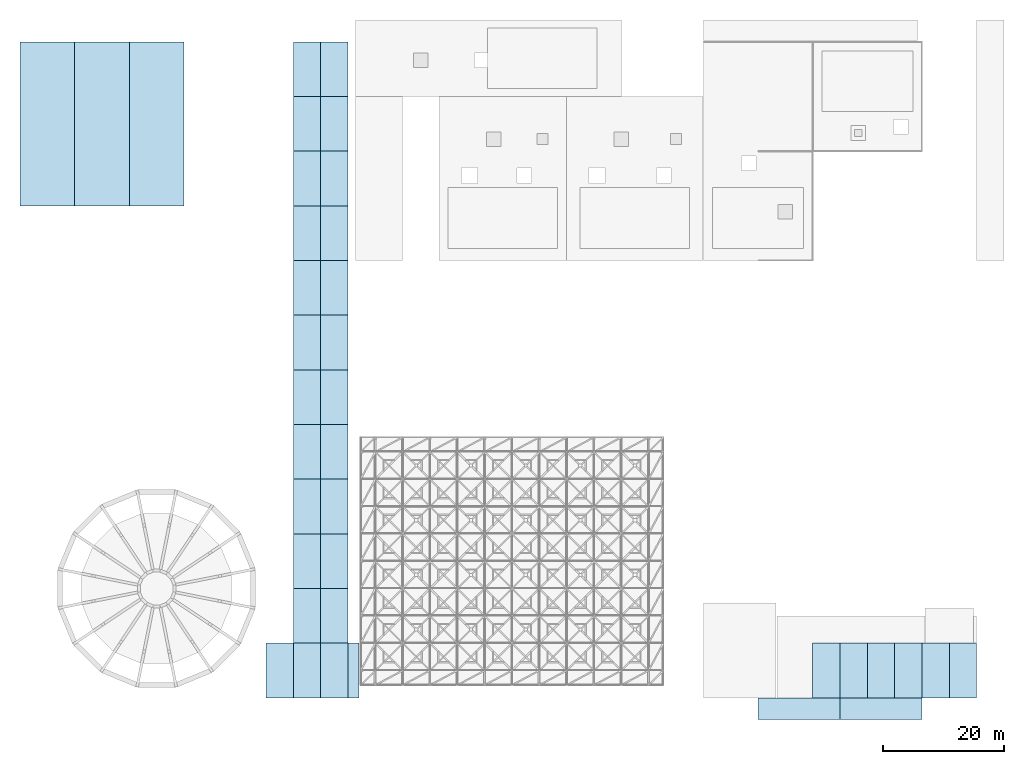
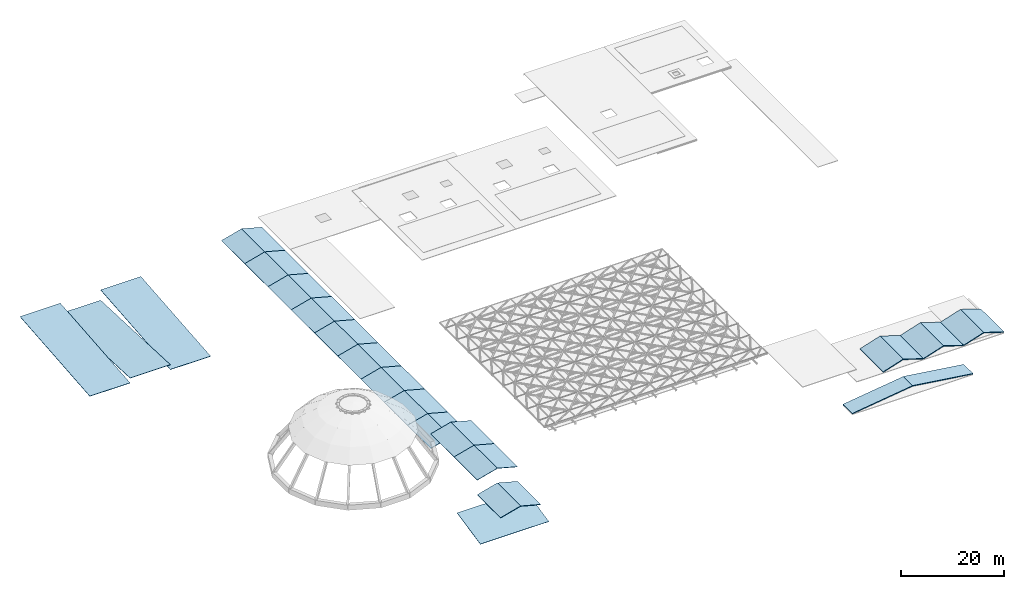
# One storey, part 72 of 80: 36 roofs.
"""IFC4 building model written with IfcOpenShell, lengths in metres."""

from ifc_helpers import new_model, si_unit, direction, frame, origin, place, context, subcontext, project, spatial, polyline, outline, extrude, material, layer, layer_set, type_object, element, save


model = new_model("IFC4")

# Units and contexts
model_context = context("Model", 3, precision=1e-05, world=origin(), true_north=direction((0.0, 1.0)))
body_context = subcontext(model_context, "Body", "Model", "MODEL_VIEW")
ifc_project = project(units=[si_unit("LENGTHUNIT", "METRE"), si_unit("AREAUNIT", "SQUARE_METRE"), si_unit("VOLUMEUNIT", "CUBIC_METRE"), si_unit("PLANEANGLEUNIT", "RADIAN"), si_unit("MASSUNIT", "GRAM", prefix="KILO"), si_unit("THERMODYNAMICTEMPERATUREUNIT", "KELVIN"), si_unit("POWERUNIT", "WATT")], contexts=[model_context])

# Site, building, storey
site_placement = place(None, origin())
site = spatial("IfcSite", under=ifc_project, at=site_placement, CompositionType="ELEMENT")
building_placement = place(site_placement, origin())
building = spatial("IfcBuilding", under=site, at=building_placement, Name="Tallowbark Science Centre", CompositionType="ELEMENT")
storey_placement = place(building_placement, frame((0.0, 0.0, 25.949951171875)))
storey = spatial("IfcBuildingStorey", under=building, at=storey_placement, Name="ROOF", CompositionType="ELEMENT", Elevation=25.949951171875)

# Roofs
ifc_material_1 = material(Name="Double Glazed Low-E Laminated Glass", Category="glass")
ifc_layer_1 = layer(ifc_material_1, 0.090087890625)
ifc_layer_set_1 = layer_set([ifc_layer_1], Name="Double Glazed Low-E Laminated Glass")
roof_type_1 = type_object("IfcRoofType", Name="ROOF-CAN-SHED", PredefinedType="SHED_ROOF", material=ifc_layer_set_1)
roof_1_placement = place(storey_placement, frame((40.5, 0.0, -20.5), z_axis=(0.0, -0.20761501323, 0.97821061448), x_axis=(1.0, 0.0, 0.0)))
element("IfcRoof", 1, at=roof_1_placement, inside=storey, type_object=roof_type_1, Name="South Avenue Passage Entrance Canopy Roof", PredefinedType="SHED_ROOF", context=body_context, shape_type="SweptSolid", body=[
    extrude(outline(polyline([(0.0, 0.0), (15.300048828125, 0.0), (15.300048828125, 9.20047264543589), (0.0, 9.20047264543589), (0.0, 0.0)])), origin(), (0.0, 0.0, -1.0), 0.090087890625),
])
roof_2_placement = place(storey_placement, frame((0.0, 81.0, -20.5), z_axis=(0.0, -0.090367671381, 0.995908471683), x_axis=(1.0, 0.0, 0.0)))
element("IfcRoof", 2, at=roof_2_placement, inside=storey, type_object=roof_type_1, Name="Outdoor Science Park Pavilion Butterfly Roof 1", PredefinedType="SHED_ROOF", context=body_context, shape_type="SweptSolid", body=[
    extrude(outline(polyline([(0.0, 0.0), (9.0, 0.0), (9.0, 27.110925117829744), (0.0, 27.110925117829744), (0.0, 0.0)])), origin(), (0.0, 0.0, -1.0), 0.090087890625),
])
roof_3_placement = place(storey_placement, frame((9.0, 81.0, -19.349853515625), z_axis=(0.0, 0.042559421467, 0.999093937347), x_axis=(1.0, 0.0, 0.0)))
element("IfcRoof", 3, at=roof_3_placement, inside=storey, type_object=roof_type_1, Name="Outdoor Science Park Pavilion Butterfly Roof 2", PredefinedType="SHED_ROOF", context=body_context, shape_type="SweptSolid", body=[
    extrude(outline(polyline([(0.0, 0.0), (9.0, 0.0), (9.0, 27.024485877357964), (0.0, 27.024485877357964), (0.0, 0.0)])), origin(), (0.0, 0.0, -1.0), 0.090087890625),
])
roof_4_placement = place(storey_placement, frame((18.0, 81.0, -20.5), z_axis=(0.0, -0.090367671381, 0.995908471683), x_axis=(1.0, 0.0, 0.0)))
element("IfcRoof", 4, at=roof_4_placement, inside=storey, type_object=roof_type_1, Name="Outdoor Science Park Pavilion Butterfly Roof 3", PredefinedType="SHED_ROOF", context=body_context, shape_type="SweptSolid", body=[
    extrude(outline(polyline([(0.0, 0.0), (9.0, 0.0), (9.0, 27.110925117829744), (0.0, 27.110925117829744), (0.0, 0.0)])), origin(), (0.0, 0.0, -1.0), 0.090087890625),
])
ifc_layer_2 = layer(ifc_material_1, 0.080078125)
ifc_layer_set_2 = layer_set([ifc_layer_2], Name="Double Glazed Low-E Laminated Glass")
roof_type_2 = type_object("IfcRoofType", Name="ROOF-SKY-GABLE", PredefinedType="GABLE_ROOF", material=ifc_layer_set_2)
for number, where, z_axis, x_axis, name in (
    (5, (45.0, 0.0, -15.849853515625), (-0.258826891896, 0.0, 0.965923723713), (0.965923723713, 0.0, 0.258826891896), "Covered Public Passage Skylight West Bay 1"),
    (6, (49.5, 0.0, -14.64404296875), (0.258826891896, 0.0, 0.965923723713), (0.965923723713, 0.0, -0.258826891896), "Covered Public Passage Skylight East Bay 1"),
    (7, (45.0, 9.0, -12.39990234375), (-0.258826891896, 0.0, 0.965923723713), (0.965923723713, 0.0, 0.258826891896), "Covered Public Passage Skylight West Bay 2"),
    (8, (49.5, 9.0, -11.194091796875), (0.258826891896, 0.0, 0.965923723713), (0.965923723713, 0.0, -0.258826891896), "Covered Public Passage Skylight East Bay 2"),
    (9, (45.0, 18.0, -12.39990234375), (-0.258826891896, 0.0, 0.965923723713), (0.965923723713, 0.0, 0.258826891896), "Covered Public Passage Skylight West Bay 3"),
    (10, (49.5, 18.0, -11.194091796875), (0.258826891896, 0.0, 0.965923723713), (0.965923723713, 0.0, -0.258826891896), "Covered Public Passage Skylight East Bay 3"),
    (11, (45.0, 27.0, -15.849853515625), (-0.258826891896, 0.0, 0.965923723713), (0.965923723713, 0.0, 0.258826891896), "Covered Public Passage Skylight West Bay 4"),
    (12, (49.5, 27.0, -14.64404296875), (0.258826891896, 0.0, 0.965923723713), (0.965923723713, 0.0, -0.258826891896), "Covered Public Passage Skylight East Bay 4"),
    (13, (45.0, 36.0, -15.849853515625), (-0.258826891896, 0.0, 0.965923723713), (0.965923723713, 0.0, 0.258826891896), "Covered Public Passage Skylight West Bay 5"),
    (14, (49.5, 36.0, -14.64404296875), (0.258826891896, 0.0, 0.965923723713), (0.965923723713, 0.0, -0.258826891896), "Covered Public Passage Skylight East Bay 5"),
    (15, (45.0, 45.0, -15.849853515625), (-0.258826891896, 0.0, 0.965923723713), (0.965923723713, 0.0, 0.258826891896), "Covered Public Passage Skylight West Bay 6"),
    (16, (49.5, 45.0, -14.64404296875), (0.258826891896, 0.0, 0.965923723713), (0.965923723713, 0.0, -0.258826891896), "Covered Public Passage Skylight East Bay 6"),
    (17, (45.0, 54.0, -15.849853515625), (-0.258826891896, 0.0, 0.965923723713), (0.965923723713, 0.0, 0.258826891896), "Covered Public Passage Skylight West Bay 7"),
    (18, (49.5, 54.0, -14.64404296875), (0.258826891896, 0.0, 0.965923723713), (0.965923723713, 0.0, -0.258826891896), "Covered Public Passage Skylight East Bay 7"),
    (19, (45.0, 63.0, -15.849853515625), (-0.258826891896, 0.0, 0.965923723713), (0.965923723713, 0.0, 0.258826891896), "Covered Public Passage Skylight West Bay 8"),
    (20, (49.5, 63.0, -14.64404296875), (0.258826891896, 0.0, 0.965923723713), (0.965923723713, 0.0, -0.258826891896), "Covered Public Passage Skylight East Bay 8"),
    (21, (45.0, 72.0, -15.849853515625), (-0.258826891896, 0.0, 0.965923723713), (0.965923723713, 0.0, 0.258826891896), "Covered Public Passage Skylight West Bay 9"),
    (22, (49.5, 72.0, -14.64404296875), (0.258826891896, 0.0, 0.965923723713), (0.965923723713, 0.0, -0.258826891896), "Covered Public Passage Skylight East Bay 9"),
    (23, (45.0, 81.0, -15.849853515625), (-0.258826891896, 0.0, 0.965923723713), (0.965923723713, 0.0, 0.258826891896), "Covered Public Passage Skylight West Bay 10"),
    (24, (49.5, 81.0, -14.64404296875), (0.258826891896, 0.0, 0.965923723713), (0.965923723713, 0.0, -0.258826891896), "Covered Public Passage Skylight East Bay 10"),
    (25, (45.0, 90.0, -15.849853515625), (-0.258826891896, 0.0, 0.965923723713), (0.965923723713, 0.0, 0.258826891896), "Covered Public Passage Skylight West Bay 11"),
    (26, (49.5, 90.0, -14.64404296875), (0.258826891896, 0.0, 0.965923723713), (0.965923723713, 0.0, -0.258826891896), "Covered Public Passage Skylight East Bay 11"),
    (27, (45.0, 99.0, -15.849853515625), (-0.258826891896, 0.0, 0.965923723713), (0.965923723713, 0.0, 0.258826891896), "Covered Public Passage Skylight West Bay 12"),
    (28, (49.5, 99.0, -14.64404296875), (0.258826891896, 0.0, 0.965923723713), (0.965923723713, 0.0, -0.258826891896), "Covered Public Passage Skylight East Bay 12"),
):
    element("IfcRoof", number, at=place(storey_placement, frame(where, z_axis=z_axis, x_axis=x_axis)), inside=storey, type_object=roof_type_2, Name=name, PredefinedType="GABLE_ROOF", context=body_context, shape_type="SweptSolid", body=[
        extrude(outline(polyline([(0.0, 0.0), (4.658752952771266, 0.0), (4.658752952771266, 9.000000000000002), (0.0, 9.000000000000002), (0.0, 0.0)])), origin(), (0.0, 0.0, -1.0), 0.080078125),
    ])
ifc_material_2 = material(Name="Precast Concrete Grade N40 (40 MPa)", Category="concrete")
ifc_layer_3 = layer(ifc_material_2, 0.179931640625)
ifc_layer_set_3 = layer_set([ifc_layer_3], Name="Precast Concrete Grade N40 (40 MPa)")
roof_type_3 = type_object("IfcRoofType", Name="ROOF-THT-SHELL", PredefinedType="GABLE_ROOF", material=ifc_layer_set_3)
for number, where, z_axis, x_axis, name in (
    (29, (130.5, 0.0, -11.329833984375), (-0.306684411071, 0.0, 0.951811258605), (0.951811258605, 0.0, 0.306684411071), "Theatre Folded Acoustic Shell West Slope 1"),
    (30, (135.0, 0.0, -9.8798828125), (0.306684411071, 0.0, 0.951811258605), (0.951811258605, 0.0, -0.306684411071), "Theatre Folded Acoustic Shell East Slope 1"),
    (31, (139.5, 0.0, -11.329833984375), (-0.306684411071, 0.0, 0.951811258605), (0.951811258605, 0.0, 0.306684411071), "Theatre Folded Acoustic Shell West Slope 2"),
    (32, (144.0, 0.0, -9.8798828125), (0.306684411071, 0.0, 0.951811258605), (0.951811258605, 0.0, -0.306684411071), "Theatre Folded Acoustic Shell East Slope 2"),
    (33, (148.5, 0.0, -11.329833984375), (-0.306684411071, 0.0, 0.951811258605), (0.951811258605, 0.0, 0.306684411071), "Theatre Folded Acoustic Shell West Slope 3"),
    (34, (153.0, 0.0, -9.8798828125), (0.306684411071, 0.0, 0.951811258605), (0.951811258605, 0.0, -0.306684411071), "Theatre Folded Acoustic Shell East Slope 3"),
):
    element("IfcRoof", number, at=place(storey_placement, frame(where, z_axis=z_axis, x_axis=x_axis)), inside=storey, type_object=roof_type_3, Name=name, PredefinedType="GABLE_ROOF", context=body_context, shape_type="SweptSolid", body=[
        extrude(outline(polyline([(0.0, 0.0), (4.727828084947854, 0.0), (4.727828084947854, 9.0), (0.0, 9.0), (0.0, 0.0)])), origin(), (0.0, 0.0, -1.0), 0.179931640625),
    ])
for number, where, z_axis, x_axis, name in (
    (35, (121.5, -3.60009765625, -15.829833984375), (-0.135757609045, 0.0, 0.990742081264), (0.990742081264, 0.0, 0.135757609045), "Theatre Portico Postmodern Pediment West"),
    (36, (135.0, -3.60009765625, -13.97998046875), (0.135757609045, 0.0, 0.990742081264), (0.990742081264, 0.0, -0.135757609045), "Theatre Portico Postmodern Pediment East"),
):
    element("IfcRoof", number, at=place(storey_placement, frame(where, z_axis=z_axis, x_axis=x_axis)), inside=storey, type_object=roof_type_3, Name=name, PredefinedType="GABLE_ROOF", context=body_context, shape_type="SweptSolid", body=[
        extrude(outline(polyline([(0.0, 0.0), (13.626149787422351, 0.0), (13.626149787422351, 3.60009765625), (0.0, 3.60009765625), (0.0, 0.0)])), origin(), (0.0, 0.0, -1.0), 0.179931640625),
    ])

save(model, "model.ifc")
